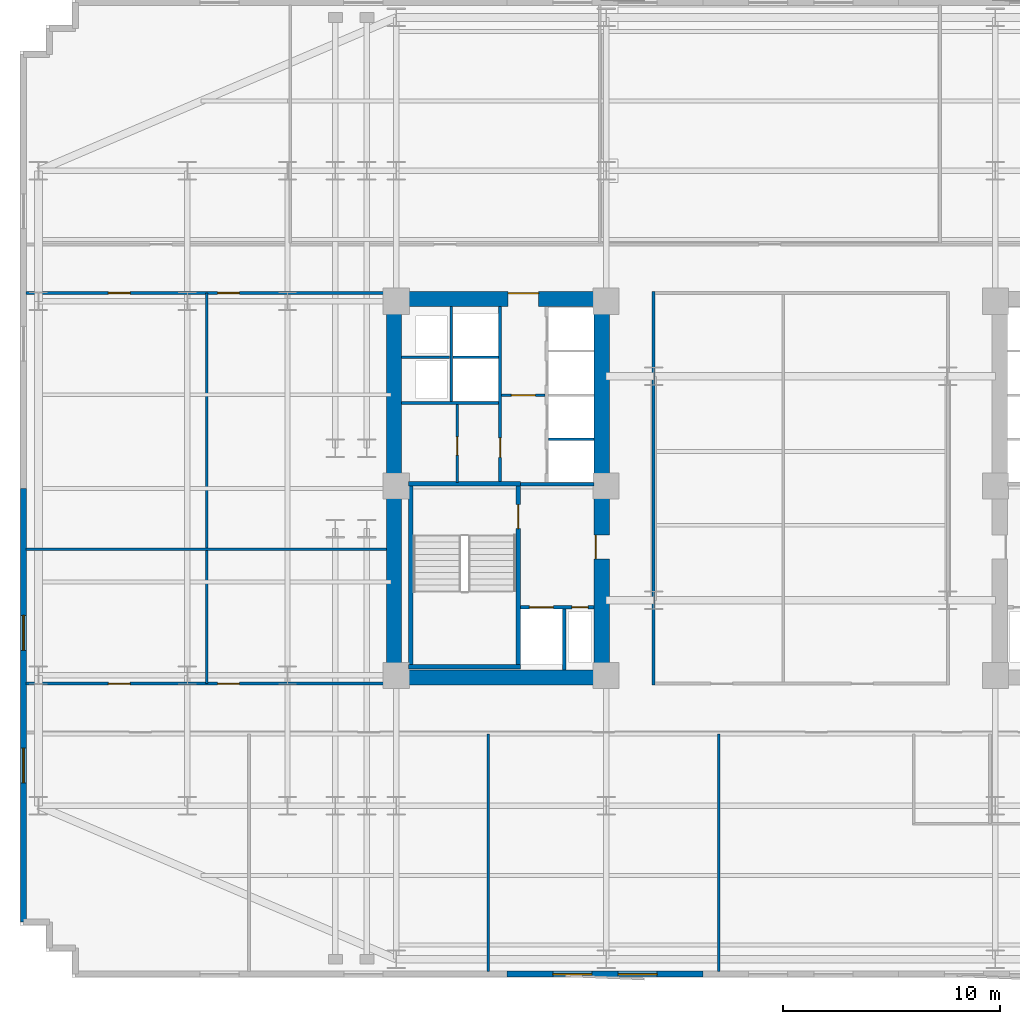
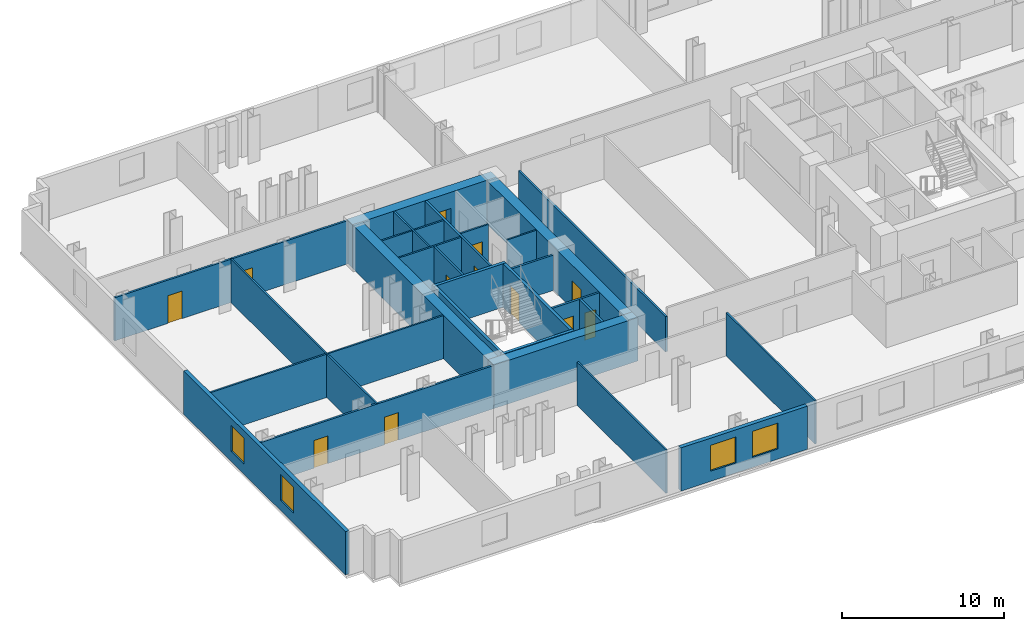
# One storey, part 4 of 10: 28 walls, 12 doors, 4 windows, 16 openings.
"""IFC4 building model written with IfcOpenShell, lengths in metres."""

from ifc_helpers import new_model, si_unit, direction, frame, frame_2d, origin, place, context, subcontext, project, spatial, rectangle, extrude, material, layer, layer_set, type_object, element, fill, save


model = new_model("IFC4")

# Units and contexts
model_context = context("Model", 3, precision=1e-05, world=origin(), true_north=direction((0.0, 1.0)))
body_context = subcontext(model_context, "Body", "Model", "MODEL_VIEW")
ifc_project = project(units=[si_unit("LENGTHUNIT", "METRE"), si_unit("AREAUNIT", "SQUARE_METRE"), si_unit("VOLUMEUNIT", "CUBIC_METRE"), si_unit("PLANEANGLEUNIT", "RADIAN"), si_unit("MASSUNIT", "GRAM", prefix="KILO")], contexts=[model_context])

# Site, building, storey
site_placement = place(None, origin())
site = spatial("IfcSite", under=ifc_project, at=site_placement, CompositionType="ELEMENT")
building_placement = place(site_placement, origin())
building = spatial("IfcBuilding", under=site, at=building_placement, Name="Velakula Bourse", CompositionType="ELEMENT")
storey_placement = place(building_placement, frame((0.0, 0.0, 41.550048828125)))
storey = spatial("IfcBuildingStorey", under=building, at=storey_placement, Name="L10", CompositionType="ELEMENT", Elevation=41.550048828125)

# Wall, opening, door
ifc_material_1 = material(Name="Concrete M50 (fck 50 MPa)", Category="concrete")
ifc_layer_1 = layer(ifc_material_1, 0.2099609375, Name="Concrete M50 (fck 50 MPa)", Category="concrete")
ifc_layer_set_1 = layer_set([ifc_layer_1], Name="Concrete M50 (fck 50 MPa)")
wall_type_1 = type_object("IfcWallType", Name="WL-CORE-210", PredefinedType="SHEAR", material=ifc_layer_set_1)
wall_1_placement = place(storey_placement, frame((-12.9951171875, -8.10009765625, 0.0), z_axis=(0.0, 0.0, 1.0), x_axis=(0.0, 1.0, 0.0)))
wall_1 = element("IfcWall", 1, at=wall_1_placement, inside=storey, type_object=wall_type_1, Name="L10 Core W Stairwell Shear Wall IN", PredefinedType="SHEAR", context=body_context, shape_type="SweptSolid", body=[
    extrude(rectangle(XDim=8.2001953125, YDim=0.2099609375, at=frame_2d((4.10009765625, 0.0))), origin(), (0.0, 0.0, 1.0), 3.27001953125),
])
opening_1_placement = place(wall_1_placement, frame((6.25, 0.0, 0.0)))
opening_1 = element("IfcOpeningElement", 2, at=opening_1_placement, cuts=wall_1, Name="Opening D-STW1", PredefinedType="OPENING", context=body_context, shape_type="SweptSolid", body=[
    extrude(rectangle(XDim=1.10009765625, YDim=2.14990234375, at=frame_2d((0.550048828125, 1.074951171875))), frame((0.0, 0.114990234375, 0.0), z_axis=(0.0, -1.0, 0.0), x_axis=(1.0, 0.0, 0.0)), (0.0, 0.0, 1.0), 0.22998046875),
])
ifc_material_2 = material(Name="Galvanised painted hollow steel fire door", Category="steel")
door_type_1 = type_object("IfcDoorType", Name="DR-FD120-1100x2150", OperationType="NOTDEFINED", PredefinedType="DOOR", material=ifc_material_2)
door_1_placement = place(opening_1_placement, origin())
door_1 = element("IfcDoor", 3, at=door_1_placement, inside=storey, type_object=door_type_1, Name="L10 Stair ST-W1 Fire Door", OperationType="SINGLE_SWING_LEFT", OverallHeight=2.14990234375, OverallWidth=1.10009765625, PredefinedType="DOOR", context=body_context, shape_type="SweptSolid", body=[
    extrude(rectangle(XDim=1.10009765625, YDim=2.14990234375, at=frame_2d((0.550048828125, 1.074951171875))), frame((0.0, 0.02490234375, 0.0), z_axis=(0.0, -1.0, 0.0), x_axis=(1.0, 0.0, 0.0)), (0.0, 0.0, 1.0), 0.050048828125),
])
fill(opening_1, door_1)

# Walls
wall_2_placement = place(storey_placement, frame((-17.925048828125, -8.10009765625, 0.0), z_axis=(0.0, 0.0, 1.0), x_axis=(0.0, 1.0, 0.0)))
element("IfcWall", 4, at=wall_2_placement, inside=storey, type_object=wall_type_1, Name="L10 Core W Stairwell Shear Wall OUT", PredefinedType="SHEAR", context=body_context, shape_type="SweptSolid", body=[
    extrude(rectangle(XDim=8.2001953125, YDim=0.2099609375, at=frame_2d((4.10009765625, 0.0))), origin(), (0.0, 0.0, 1.0), 3.27001953125),
])
for number, where, z_axis, x_axis, name in (
    (5, (-18.030029296875, -8.205078125, 0.0), (0.0, 0.0, 1.0), (1.0, 0.0, 0.0), "L10 Core W Stairwell Shear Wall S"),
    (6, (-12.889892578125, 0.205078125, 0.0), (0.0, 0.0, 1.0), (-1.0, 0.0, 0.0), "L10 Core W Stairwell Shear Wall N"),
):
    element("IfcWall", number, at=place(storey_placement, frame(where, z_axis=z_axis, x_axis=x_axis)), inside=storey, type_object=wall_type_1, Name=name, PredefinedType="SHEAR", context=body_context, shape_type="SweptSolid", body=[
        extrude(rectangle(XDim=5.14013671875, YDim=0.2099609375, at=frame_2d((2.570068359375, 0.0))), origin(), (0.0, 0.0, 1.0), 3.27001953125),
    ])
ifc_material_3 = material(Name="Concrete M70 (fck 70 MPa)", Category="concrete")
ifc_layer_2 = layer(ifc_material_3, 0.699951171875, Name="Concrete M70 (fck 70 MPa)", Category="concrete")
ifc_layer_set_2 = layer_set([ifc_layer_2], Name="Concrete M70 (fck 70 MPa)")
wall_type_2 = type_object("IfcWallType", Name="WL-CORE-700", PredefinedType="SHEAR", material=ifc_layer_set_2)
wall_3_placement = place(storey_placement, frame((-19.050048828125, -8.699951171875, 0.0), z_axis=(0.0, 0.0, 1.0), x_axis=(1.0, 0.0, 0.0)))
element("IfcWall", 7, at=wall_3_placement, inside=storey, type_object=wall_type_2, Name="L10 Core W Shear Wall S", PredefinedType="SHEAR", context=body_context, shape_type="SweptSolid", body=[
    extrude(rectangle(XDim=10.25, YDim=0.699951171875, at=frame_2d((5.125, 0.0))), origin(), (0.0, 0.0, 1.0), 3.27001953125),
])

# Wall, opening, door
wall_4_placement = place(storey_placement, frame((-19.050048828125, 8.699951171875, 0.0), z_axis=(0.0, 0.0, 1.0), x_axis=(1.0, 0.0, 0.0)))
wall_4 = element("IfcWall", 8, at=wall_4_placement, inside=storey, type_object=wall_type_2, Name="L10 Core W Shear Wall N", PredefinedType="SHEAR", context=body_context, shape_type="SweptSolid", body=[
    extrude(rectangle(XDim=10.25, YDim=0.699951171875, at=frame_2d((5.125, 0.0))), origin(), (0.0, 0.0, 1.0), 3.27001953125),
])
opening_2_placement = place(wall_4_placement, frame((5.60009765625, 0.0, 0.0)))
opening_2 = element("IfcOpeningElement", 9, at=opening_2_placement, cuts=wall_4, Name="Opening D-LLW", PredefinedType="OPENING", context=body_context, shape_type="SweptSolid", body=[
    extrude(rectangle(XDim=1.39990234375, YDim=2.050048828125, at=frame_2d((0.699951171875, 1.02490234375))), frame((0.0, 0.35986328125, 0.0), z_axis=(0.0, -1.0, 0.0), x_axis=(1.0, 0.0, 0.0)), (0.0, 0.0, 1.0), 0.719970703125),
])
ifc_material_4 = material(Name="Fire-rated hardwood flush architectural door", Category="wood")
door_type_2 = type_object("IfcDoorType", Name="DR-DBL-FD60-1400", OperationType="DOUBLE_DOOR_SINGLE_SWING", PredefinedType="DOOR", material=ifc_material_4)
door_2_placement = place(opening_2_placement, origin())
door_2 = element("IfcDoor", 10, at=door_2_placement, inside=storey, type_object=door_type_2, Name="L10 Core W Lift Lobby Corridor Double Door", OperationType="DOUBLE_DOOR_SINGLE_SWING", OverallHeight=2.050048828125, OverallWidth=1.39990234375, PredefinedType="DOOR", context=body_context, shape_type="SweptSolid", body=[
    extrude(rectangle(XDim=1.39990234375, YDim=2.050048828125, at=frame_2d((0.699951171875, 1.02490234375))), frame((0.0, 0.294921875, 0.0), z_axis=(0.0, -1.0, 0.0), x_axis=(1.0, 0.0, 0.0)), (0.0, 0.0, 1.0), 0.050048828125),
])
fill(opening_2, door_2)

# Wall
wall_5_placement = place(storey_placement, frame((-18.699951171875, -8.35009765625, 0.0), z_axis=(0.0, 0.0, 1.0), x_axis=(0.0, 1.0, 0.0)))
element("IfcWall", 11, at=wall_5_placement, inside=storey, type_object=wall_type_2, Name="L10 Core W Shear Wall W", PredefinedType="SHEAR", context=body_context, shape_type="SweptSolid", body=[
    extrude(rectangle(XDim=16.7001953125, YDim=0.699951171875, at=frame_2d((8.35009765625, 0.0))), origin(), (0.0, 0.0, 1.0), 3.27001953125),
])

# Wall, opening, door
wall_6_placement = place(storey_placement, frame((-9.14990234375, -8.35009765625, 0.0), z_axis=(0.0, 0.0, 1.0), x_axis=(0.0, 1.0, 0.0)))
wall_6 = element("IfcWall", 12, at=wall_6_placement, inside=storey, type_object=wall_type_2, Name="L10 Core W Shear Wall E", PredefinedType="SHEAR", context=body_context, shape_type="SweptSolid", body=[
    extrude(rectangle(XDim=16.7001953125, YDim=0.699951171875, at=frame_2d((8.35009765625, 0.0))), origin(), (0.0, 0.0, 1.0), 3.27001953125),
])
opening_3_placement = place(wall_6_placement, frame((5.10009765625, 0.0, 0.0)))
opening_3 = element("IfcOpeningElement", 13, at=opening_3_placement, cuts=wall_6, Name="Opening D-FLW", PredefinedType="OPENING", context=body_context, shape_type="SweptSolid", body=[
    extrude(rectangle(XDim=1.10009765625, YDim=2.080078125, at=frame_2d((0.550048828125, 1.0400390625))), frame((0.0, 0.35986328125, 0.0), z_axis=(0.0, -1.0, 0.0), x_axis=(1.0, 0.0, 0.0)), (0.0, 0.0, 1.0), 0.719970703125),
])
door_type_3 = type_object("IfcDoorType", Name="DR-FD120-1100", OperationType="NOTDEFINED", PredefinedType="DOOR", material=ifc_material_2)
door_3_placement = place(opening_3_placement, origin())
door_3 = element("IfcDoor", 14, at=door_3_placement, inside=storey, type_object=door_type_3, Name="L10 Firefighting Lobby W Corridor Fire Door", OperationType="SINGLE_SWING_LEFT", OverallHeight=2.080078125, OverallWidth=1.10009765625, PredefinedType="DOOR", context=body_context, shape_type="SweptSolid", body=[
    extrude(rectangle(XDim=1.10009765625, YDim=2.080078125, at=frame_2d((0.550048828125, 1.0400390625))), frame((0.0, 0.30517578125, 0.0), z_axis=(0.0, -1.0, 0.0), x_axis=(1.0, 0.0, 0.0)), (0.0, 0.0, 1.0), 0.050048828125),
])
fill(opening_3, door_3)

# Wall, openings, windows
ifc_material_5 = material(Name="Red kilned clay facing brick masonry", Category="masonry")
ifc_layer_3 = layer(ifc_material_5, 0.280029296875, Name="Red kilned clay facing brick masonry", Category="masonry")
ifc_layer_set_3 = layer_set([ifc_layer_3], Name="Red kilned clay facing brick masonry")
wall_type_3 = type_object("IfcWallType", Name="WL-EXT-BRK-280", PredefinedType="STANDARD", material=ifc_layer_set_3)
wall_7_placement = place(storey_placement, frame((-4.5, -22.340087890625, 0.0), z_axis=(0.0, 0.0, 1.0), x_axis=(-1.0, 0.0, 0.0)))
wall_7 = element("IfcWall", 15, at=wall_7_placement, inside=storey, type_object=wall_type_3, Name="L10 S Brick Spandrel Wall B2", PredefinedType="STANDARD", context=body_context, shape_type="SweptSolid", body=[
    extrude(rectangle(XDim=9.0, YDim=0.280029296875, at=frame_2d((4.5, 0.0))), origin(), (0.0, 0.0, 1.0), 3.25),
])
opening_4_placement = place(wall_7_placement, frame((2.10009765625, 0.0, 0.760009765625)))
opening_4 = element("IfcOpeningElement", 16, at=opening_4_placement, cuts=wall_7, Name="Opening W-01", PredefinedType="OPENING", context=body_context, shape_type="SweptSolid", body=[
    extrude(rectangle(XDim=1.800048828125, YDim=1.949951171875, at=frame_2d((0.89990234375, 0.97509765625))), frame((0.0, 0.14990234375, 0.0), z_axis=(0.0, -1.0, 0.0), x_axis=(1.0, 0.0, 0.0)), (0.0, 0.0, 1.0), 0.300048828125),
])
opening_5_placement = place(wall_7_placement, frame((5.10009765625, 0.0, 0.760009765625)))
opening_5 = element("IfcOpeningElement", 17, at=opening_5_placement, cuts=wall_7, Name="Opening W-01", PredefinedType="OPENING", context=body_context, shape_type="SweptSolid", body=[
    extrude(rectangle(XDim=1.800048828125, YDim=1.949951171875, at=frame_2d((0.89990234375, 0.97509765625))), frame((0.0, 0.14990234375, 0.0), z_axis=(0.0, -1.0, 0.0), x_axis=(1.0, 0.0, 0.0)), (0.0, 0.0, 1.0), 0.300048828125),
])
ifc_material_6 = material(Name="Double-glazed solar-control Low-E glass", Category="glass")
window_type_1 = type_object("IfcWindowType", Name="WIN-TWR-1800x2100", PartitioningType="SINGLE_PANEL", PredefinedType="WINDOW", material=ifc_material_6)
window_1_placement = place(opening_4_placement, origin())
window_1 = element("IfcWindow", 18, at=window_1_placement, inside=storey, type_object=window_type_1, Name="L10 Deep-Set Recessed Window 1", OverallHeight=1.949951171875, OverallWidth=1.800048828125, PartitioningType="SINGLE_PANEL", PredefinedType="WINDOW", context=body_context, shape_type="SweptSolid", body=[
    extrude(rectangle(XDim=1.800048828125, YDim=1.949951171875, at=frame_2d((0.89990234375, 0.97509765625))), frame((0.0, 0.030029296875, 0.0), z_axis=(0.0, -1.0, 0.0), x_axis=(1.0, 0.0, 0.0)), (0.0, 0.0, 1.0), 0.06005859375),
])
fill(opening_4, window_1)
window_2_placement = place(opening_5_placement, origin())
window_2 = element("IfcWindow", 19, at=window_2_placement, inside=storey, type_object=window_type_1, Name="L10 Deep-Set Recessed Window 2", OverallHeight=1.949951171875, OverallWidth=1.800048828125, PartitioningType="SINGLE_PANEL", PredefinedType="WINDOW", context=body_context, shape_type="SweptSolid", body=[
    extrude(rectangle(XDim=1.800048828125, YDim=1.949951171875, at=frame_2d((0.89990234375, 0.97509765625))), frame((0.0, 0.030029296875, 0.0), z_axis=(0.0, -1.0, 0.0), x_axis=(1.0, 0.0, 0.0)), (0.0, 0.0, 1.0), 0.06005859375),
])
fill(opening_5, window_2)

wall_8_placement = place(storey_placement, frame((-35.739990234375, -19.93994140625, 0.0), z_axis=(0.0, 0.0, 1.0), x_axis=(0.0, 1.0, 0.0)))
wall_8 = element("IfcWall", 20, at=wall_8_placement, inside=storey, type_object=wall_type_3, Name="L10 W Brick End Wall W1", PredefinedType="STANDARD", context=body_context, shape_type="SweptSolid", body=[
    extrude(rectangle(XDim=19.93994140625, YDim=0.280029296875, at=frame_2d((9.969970703125, 0.0))), origin(), (0.0, 0.0, 1.0), 3.25),
])
opening_6_placement = place(wall_8_placement, frame((6.396728515625, 0.0, 0.760009765625)))
opening_6 = element("IfcOpeningElement", 21, at=opening_6_placement, cuts=wall_8, Name="Opening W-02", PredefinedType="OPENING", context=body_context, shape_type="SweptSolid", body=[
    extrude(rectangle(XDim=1.60009765625, YDim=1.949951171875, at=frame_2d((0.800048828125, 0.97509765625))), frame((0.0, 0.14990234375, 0.0), z_axis=(0.0, -1.0, 0.0), x_axis=(1.0, 0.0, 0.0)), (0.0, 0.0, 1.0), 0.300048828125),
])
opening_7_placement = place(wall_8_placement, frame((12.493408203125, 0.0, 0.760009765625)))
opening_7 = element("IfcOpeningElement", 22, at=opening_7_placement, cuts=wall_8, Name="Opening W-02", PredefinedType="OPENING", context=body_context, shape_type="SweptSolid", body=[
    extrude(rectangle(XDim=1.60009765625, YDim=1.949951171875, at=frame_2d((0.800048828125, 0.97509765625))), frame((0.0, 0.14990234375, 0.0), z_axis=(0.0, -1.0, 0.0), x_axis=(1.0, 0.0, 0.0)), (0.0, 0.0, 1.0), 0.300048828125),
])
window_type_2 = type_object("IfcWindowType", Name="WIN-TWR-1600x2100", PartitioningType="SINGLE_PANEL", PredefinedType="WINDOW", material=ifc_material_6)
window_3_placement = place(opening_6_placement, origin())
window_3 = element("IfcWindow", 23, at=window_3_placement, inside=storey, type_object=window_type_2, Name="L10 Deep-Set Recessed Window 1", OverallHeight=1.949951171875, OverallWidth=1.60009765625, PartitioningType="SINGLE_PANEL", PredefinedType="WINDOW", context=body_context, shape_type="SweptSolid", body=[
    extrude(rectangle(XDim=1.60009765625, YDim=1.949951171875, at=frame_2d((0.800048828125, 0.97509765625))), frame((0.0, 0.030029296875, 0.0), z_axis=(0.0, -1.0, 0.0), x_axis=(1.0, 0.0, 0.0)), (0.0, 0.0, 1.0), 0.06005859375),
])
fill(opening_6, window_3)
window_4_placement = place(opening_7_placement, origin())
window_4 = element("IfcWindow", 24, at=window_4_placement, inside=storey, type_object=window_type_2, Name="L10 Deep-Set Recessed Window 2", OverallHeight=1.949951171875, OverallWidth=1.60009765625, PartitioningType="SINGLE_PANEL", PredefinedType="WINDOW", context=body_context, shape_type="SweptSolid", body=[
    extrude(rectangle(XDim=1.60009765625, YDim=1.949951171875, at=frame_2d((0.800048828125, 0.97509765625))), frame((0.0, 0.030029296875, 0.0), z_axis=(0.0, -1.0, 0.0), x_axis=(1.0, 0.0, 0.0)), (0.0, 0.0, 1.0), 0.06005859375),
])
fill(opening_7, window_4)

# Wall, opening, door
ifc_material_7 = material(Name="Fire-rated double-layer gypsum drywall partition", Category="gypsum")
ifc_layer_4 = layer(ifc_material_7, 0.1201171875, Name="Fire-rated double-layer gypsum drywall partition", Category="gypsum")
ifc_layer_set_4 = layer_set([ifc_layer_4], Name="Fire-rated double-layer gypsum drywall partition")
wall_type_4 = type_object("IfcWallType", Name="WL-PART-120", PredefinedType="STANDARD", material=ifc_layer_set_4)
wall_9_placement = place(storey_placement, frame((-13.75, 4.280029296875, 0.0), z_axis=(0.0, 0.0, 1.0), x_axis=(1.0, 0.0, 0.0)))
wall_9 = element("IfcWall", 25, at=wall_9_placement, inside=storey, type_object=wall_type_4, Name="L10 Interior Partition WL-CRW-L10-LL-K2", PredefinedType="STANDARD", context=body_context, shape_type="SweptSolid", body=[
    extrude(rectangle(XDim=2.0, YDim=0.1201171875, at=frame_2d((1.0, 0.0))), origin(), (0.0, 0.0, 1.0), 3.25),
])
opening_8_placement = place(wall_9_placement, frame((0.449951171875, 0.0, 0.0)))
opening_8 = element("IfcOpeningElement", 26, at=opening_8_placement, cuts=wall_9, Name="Opening D-LK2", PredefinedType="OPENING", context=body_context, shape_type="SweptSolid", body=[
    extrude(rectangle(XDim=1.10009765625, YDim=2.10009765625, at=frame_2d((0.550048828125, 1.050048828125))), frame((0.0, 0.070068359375, 0.0), z_axis=(0.0, -1.0, 0.0), x_axis=(1.0, 0.0, 0.0)), (0.0, 0.0, 1.0), 0.14013671875),
])
door_type_4 = type_object("IfcDoorType", Name="DR-FD60-1100x2100", OperationType="NOTDEFINED", PredefinedType="DOOR", material=ifc_material_4)
door_4_placement = place(opening_8_placement, origin())
door_4 = element("IfcDoor", 27, at=door_4_placement, inside=storey, type_object=door_type_4, Name="L10 Core W Lift Lobby Zone Door", OperationType="SINGLE_SWING_RIGHT", OverallHeight=2.10009765625, OverallWidth=1.10009765625, PredefinedType="DOOR", context=body_context, shape_type="SweptSolid", body=[
    extrude(rectangle(XDim=1.10009765625, YDim=2.10009765625, at=frame_2d((0.550048828125, 1.050048828125))), frame((0.0, 0.02490234375, 0.0), z_axis=(0.0, -1.0, 0.0), x_axis=(1.0, 0.0, 0.0)), (0.0, 0.0, 1.0), 0.050048828125),
])
fill(opening_8, door_4)

# Walls
wall_10_placement = place(storey_placement, frame((-11.60009765625, 2.2548828125, 0.0), z_axis=(0.0, 0.0, 1.0), x_axis=(1.0, 0.0, 0.0)))
element("IfcWall", 28, at=wall_10_placement, inside=storey, type_object=wall_type_4, Name="L10 Interior Partition WL-CRW-L10-BDIV-0", PredefinedType="STANDARD", context=body_context, shape_type="SweptSolid", body=[
    extrude(rectangle(XDim=2.10009765625, YDim=0.110107421875, at=frame_2d((1.050048828125, 0.0))), origin(), (0.0, 0.0, 1.0), 3.25),
])
wall_11_placement = place(storey_placement, frame((-18.35009765625, 3.919921875, 0.0), z_axis=(0.0, 0.0, 1.0), x_axis=(1.0, 0.0, 0.0)))
element("IfcWall", 29, at=wall_11_placement, inside=storey, type_object=wall_type_4, Name="L10 Interior Partition WL-CRW-L10-HI-S", PredefinedType="STANDARD", context=body_context, shape_type="SweptSolid", body=[
    extrude(rectangle(XDim=4.4501953125, YDim=0.1201171875, at=frame_2d((2.22509765625, 0.0))), origin(), (0.0, 0.0, 1.0), 3.25),
])
wall_12_placement = place(storey_placement, frame((-18.35009765625, 6.030029296875, 0.0), z_axis=(0.0, 0.0, 1.0), x_axis=(1.0, 0.0, 0.0)))
element("IfcWall", 30, at=wall_12_placement, inside=storey, type_object=wall_type_4, Name="L10 Interior Partition WL-CRW-L10-RIS-MID", PredefinedType="STANDARD", context=body_context, shape_type="SweptSolid", body=[
    extrude(rectangle(XDim=2.2001953125, YDim=0.1201171875, at=frame_2d((1.10009765625, 0.0))), origin(), (0.0, 0.0, 1.0), 3.25),
])
wall_13_placement = place(storey_placement, frame((-16.074951171875, 3.97998046875, 0.0), z_axis=(0.0, 0.0, 1.0), x_axis=(0.0, 1.0, 0.0)))
element("IfcWall", 31, at=wall_13_placement, inside=storey, type_object=wall_type_4, Name="L10 Interior Partition WL-CRW-L10-RIS-F", PredefinedType="STANDARD", context=body_context, shape_type="SweptSolid", body=[
    extrude(rectangle(XDim=4.3701171875, YDim=0.1201171875, at=frame_2d((2.18505859375, 0.0))), origin(), (0.0, 0.0, 1.0), 3.25),
])
wall_14_placement = place(storey_placement, frame((-16.0, 6.030029296875, 0.0), z_axis=(0.0, 0.0, 1.0), x_axis=(1.0, 0.0, 0.0)))
element("IfcWall", 32, at=wall_14_placement, inside=storey, type_object=wall_type_4, Name="L10 Interior Partition WL-CRW-L10-HI-DIV", PredefinedType="STANDARD", context=body_context, shape_type="SweptSolid", body=[
    extrude(rectangle(XDim=2.10009765625, YDim=0.1201171875, at=frame_2d((1.050048828125, 0.0))), origin(), (0.0, 0.0, 1.0), 3.25),
])

# Wall, opening, door
wall_15_placement = place(storey_placement, frame((-15.800048828125, 0.27001953125, 0.0), z_axis=(0.0, 0.0, 1.0), x_axis=(0.0, 1.0, 0.0)))
wall_15 = element("IfcWall", 33, at=wall_15_placement, inside=storey, type_object=wall_type_4, Name="L10 Interior Partition WL-CRW-L10-K2", PredefinedType="STANDARD", context=body_context, shape_type="SweptSolid", body=[
    extrude(rectangle(XDim=3.590087890625, YDim=0.1201171875, at=frame_2d((1.794921875, 0.0))), origin(), (0.0, 0.0, 1.0), 3.25),
])
opening_9_placement = place(wall_15_placement, frame((1.25, 0.0, 0.0)))
opening_9 = element("IfcOpeningElement", 34, at=opening_9_placement, cuts=wall_15, Name="Opening D-CE1", PredefinedType="OPENING", context=body_context, shape_type="SweptSolid", body=[
    extrude(rectangle(XDim=0.85009765625, YDim=2.050048828125, at=frame_2d((0.425048828125, 1.02490234375))), frame((0.0, 0.070068359375, 0.0), z_axis=(0.0, -1.0, 0.0), x_axis=(1.0, 0.0, 0.0)), (0.0, 0.0, 1.0), 0.14013671875),
])
door_type_5 = type_object("IfcDoorType", Name="DR-INT-850", OperationType="NOTDEFINED", PredefinedType="DOOR", material=ifc_material_4)
door_5_placement = place(opening_9_placement, origin())
door_5 = element("IfcDoor", 35, at=door_5_placement, inside=storey, type_object=door_type_5, Name="L10 Core Equipment Store Door", OperationType="SINGLE_SWING_RIGHT", OverallHeight=2.050048828125, OverallWidth=0.85009765625, PredefinedType="DOOR", context=body_context, shape_type="SweptSolid", body=[
    extrude(rectangle(XDim=0.85009765625, YDim=2.050048828125, at=frame_2d((0.425048828125, 1.02490234375))), frame((0.0, 0.02490234375, 0.0), z_axis=(0.0, -1.0, 0.0), x_axis=(1.0, 0.0, 0.0)), (0.0, 0.0, 1.0), 0.050048828125),
])
fill(opening_9, door_5)

# Walls
for number, where, z_axis, x_axis, name in (
    (36, (-14.364990234375, -22.219970703125, 0.0), (0.0, 0.0, 1.0), (0.0, 1.0, 0.0), "L10 Interior Partition WL-INT-L10-SL-D6"),
    (37, (-3.76708984375, -22.219970703125, 0.0), (0.0, 0.0, 1.0), (0.0, 1.0, 0.0), "L10 Interior Partition WL-INT-L10-SL-D7"),
):
    element("IfcWall", number, at=place(storey_placement, frame(where, z_axis=z_axis, x_axis=x_axis)), inside=storey, type_object=wall_type_4, Name=name, PredefinedType="STANDARD", context=body_context, shape_type="SweptSolid", body=[
        extrude(rectangle(XDim=10.929931640625, YDim=0.1201171875, at=frame_2d((5.46484375, 0.0))), origin(), (0.0, 0.0, 1.0), 3.25),
    ])
wall_16_placement = place(storey_placement, frame((-35.6201171875, -2.800048828125, 0.0), z_axis=(0.0, 0.0, 1.0), x_axis=(1.0, 0.0, 0.0)))
element("IfcWall", 38, at=wall_16_placement, inside=storey, type_object=wall_type_4, Name="L10 Interior Partition WL-INT-L10-W-H", PredefinedType="STANDARD", context=body_context, shape_type="SweptSolid", body=[
    extrude(rectangle(XDim=16.570068359375, YDim=0.1201171875, at=frame_2d((8.28515625, 0.0))), origin(), (0.0, 0.0, 1.0), 3.25),
])
wall_17_placement = place(storey_placement, frame((-27.304931640625, -8.97998046875, 0.0), z_axis=(0.0, 0.0, 1.0), x_axis=(0.0, 1.0, 0.0)))
element("IfcWall", 39, at=wall_17_placement, inside=storey, type_object=wall_type_4, Name="L10 Interior Partition WL-INT-L10-W-V1", PredefinedType="STANDARD", context=body_context, shape_type="SweptSolid", body=[
    extrude(rectangle(XDim=17.9599609375, YDim=0.1201171875, at=frame_2d((8.97998046875, 0.0))), origin(), (0.0, 0.0, 1.0), 3.25),
])

# Wall, openings, doors
ifc_layer_5 = layer(ifc_material_7, 0.139892578125, Name="Fire-rated double-layer gypsum drywall partition", Category="gypsum")
ifc_layer_set_5 = layer_set([ifc_layer_5], Name="Fire-rated double-layer gypsum drywall partition")
wall_type_5 = type_object("IfcWallType", Name="WL-PART-140", PredefinedType="STANDARD", material=ifc_layer_set_5)
wall_18_placement = place(storey_placement, frame((-35.6201171875, 8.97998046875, 0.0), z_axis=(0.0, 0.0, 1.0), x_axis=(1.0, 0.0, 0.0)))
wall_18 = element("IfcWall", 40, at=wall_18_placement, inside=storey, type_object=wall_type_5, Name="L10 Interior Partition WL-INT-L10-W-NC", PredefinedType="STANDARD", context=body_context, shape_type="SweptSolid", body=[
    extrude(rectangle(XDim=16.570068359375, YDim=0.139892578125, at=frame_2d((8.28515625, 0.0))), origin(), (0.0, 0.0, 1.0), 3.25),
])
opening_10_placement = place(wall_18_placement, frame((3.78759765625, 0.0, 0.0)))
opening_10 = element("IfcOpeningElement", 41, at=opening_10_placement, cuts=wall_18, Name="Opening D-OF1", PredefinedType="OPENING", context=body_context, shape_type="SweptSolid", body=[
    extrude(rectangle(XDim=1.0, YDim=2.080078125, at=frame_2d((0.5, 1.0400390625))), frame((0.0, 0.079833984375, 0.0), z_axis=(0.0, -1.0, 0.0), x_axis=(1.0, 0.0, 0.0)), (0.0, 0.0, 1.0), 0.159912109375),
])
opening_11_placement = place(wall_18_placement, frame((8.8046875, 0.0, 0.0)))
opening_11 = element("IfcOpeningElement", 42, at=opening_11_placement, cuts=wall_18, Name="Opening D-OF1", PredefinedType="OPENING", context=body_context, shape_type="SweptSolid", body=[
    extrude(rectangle(XDim=1.0, YDim=2.080078125, at=frame_2d((0.5, 1.0400390625))), frame((0.0, 0.079833984375, 0.0), z_axis=(0.0, -1.0, 0.0), x_axis=(1.0, 0.0, 0.0)), (0.0, 0.0, 1.0), 0.159912109375),
])
door_type_6 = type_object("IfcDoorType", Name="DR-OFF-1000", OperationType="NOTDEFINED", PredefinedType="DOOR", material=ifc_material_4)
door_6_placement = place(opening_10_placement, origin())
door_6 = element("IfcDoor", 43, at=door_6_placement, inside=storey, type_object=door_type_6, Name="L10 Issuer Relations Office Door", OperationType="SINGLE_SWING_LEFT", OverallHeight=2.080078125, OverallWidth=1.0, PredefinedType="DOOR", context=body_context, shape_type="SweptSolid", body=[
    extrude(rectangle(XDim=1.0, YDim=2.080078125, at=frame_2d((0.5, 1.0400390625))), frame((0.0, 0.02490234375, 0.0), z_axis=(0.0, -1.0, 0.0), x_axis=(1.0, 0.0, 0.0)), (0.0, 0.0, 1.0), 0.050048828125),
])
fill(opening_10, door_6)
door_7_placement = place(opening_11_placement, origin())
door_7 = element("IfcDoor", 44, at=door_7_placement, inside=storey, type_object=door_type_6, Name="L10 Training Classroom Door", OperationType="SINGLE_SWING_RIGHT", OverallHeight=2.080078125, OverallWidth=1.0, PredefinedType="DOOR", context=body_context, shape_type="SweptSolid", body=[
    extrude(rectangle(XDim=1.0, YDim=2.080078125, at=frame_2d((0.5, 1.0400390625))), frame((0.0, 0.02490234375, 0.0), z_axis=(0.0, -1.0, 0.0), x_axis=(1.0, 0.0, 0.0)), (0.0, 0.0, 1.0), 0.050048828125),
])
fill(opening_11, door_7)

wall_19_placement = place(storey_placement, frame((-35.6201171875, -8.97998046875, 0.0), z_axis=(0.0, 0.0, 1.0), x_axis=(1.0, 0.0, 0.0)))
wall_19 = element("IfcWall", 45, at=wall_19_placement, inside=storey, type_object=wall_type_5, Name="L10 Interior Partition WL-INT-L10-W-SC", PredefinedType="STANDARD", context=body_context, shape_type="SweptSolid", body=[
    extrude(rectangle(XDim=16.570068359375, YDim=0.139892578125, at=frame_2d((8.28515625, 0.0))), origin(), (0.0, 0.0, 1.0), 3.25),
])
opening_12_placement = place(wall_19_placement, frame((3.78759765625, 0.0, 0.0)))
opening_12 = element("IfcOpeningElement", 46, at=opening_12_placement, cuts=wall_19, Name="Opening D-OF1", PredefinedType="OPENING", context=body_context, shape_type="SweptSolid", body=[
    extrude(rectangle(XDim=1.0, YDim=2.080078125, at=frame_2d((0.5, 1.0400390625))), frame((0.0, 0.079833984375, 0.0), z_axis=(0.0, -1.0, 0.0), x_axis=(1.0, 0.0, 0.0)), (0.0, 0.0, 1.0), 0.159912109375),
])
opening_13_placement = place(wall_19_placement, frame((8.8046875, 0.0, 0.0)))
opening_13 = element("IfcOpeningElement", 47, at=opening_13_placement, cuts=wall_19, Name="Opening D-OF1", PredefinedType="OPENING", context=body_context, shape_type="SweptSolid", body=[
    extrude(rectangle(XDim=1.0, YDim=2.080078125, at=frame_2d((0.5, 1.0400390625))), frame((0.0, 0.079833984375, 0.0), z_axis=(0.0, -1.0, 0.0), x_axis=(1.0, 0.0, 0.0)), (0.0, 0.0, 1.0), 0.159912109375),
])
door_8_placement = place(opening_12_placement, origin())
door_8 = element("IfcDoor", 48, at=door_8_placement, inside=storey, type_object=door_type_6, Name="L10 Issuer Relations Office Door", OperationType="SINGLE_SWING_LEFT", OverallHeight=2.080078125, OverallWidth=1.0, PredefinedType="DOOR", context=body_context, shape_type="SweptSolid", body=[
    extrude(rectangle(XDim=1.0, YDim=2.080078125, at=frame_2d((0.5, 1.0400390625))), frame((0.0, 0.02490234375, 0.0), z_axis=(0.0, -1.0, 0.0), x_axis=(1.0, 0.0, 0.0)), (0.0, 0.0, 1.0), 0.050048828125),
])
fill(opening_12, door_8)
door_9_placement = place(opening_13_placement, origin())
door_9 = element("IfcDoor", 49, at=door_9_placement, inside=storey, type_object=door_type_6, Name="L10 Training Classroom Door", OperationType="SINGLE_SWING_RIGHT", OverallHeight=2.080078125, OverallWidth=1.0, PredefinedType="DOOR", context=body_context, shape_type="SweptSolid", body=[
    extrude(rectangle(XDim=1.0, YDim=2.080078125, at=frame_2d((0.5, 1.0400390625))), frame((0.0, 0.02490234375, 0.0), z_axis=(0.0, -1.0, 0.0), x_axis=(1.0, 0.0, 0.0)), (0.0, 0.0, 1.0), 0.050048828125),
])
fill(opening_13, door_9)

# Wall
wall_20_placement = place(storey_placement, frame((-6.780029296875, -9.050048828125, 0.0), z_axis=(0.0, 0.0, 1.0), x_axis=(0.0, 1.0, 0.0)))
element("IfcWall", 50, at=wall_20_placement, inside=storey, type_object=wall_type_5, Name="L10 Interior Partition WL-INT-L10-MID-W", PredefinedType="STANDARD", context=body_context, shape_type="SweptSolid", body=[
    extrude(rectangle(XDim=18.10009765625, YDim=0.139892578125, at=frame_2d((9.050048828125, 0.0))), origin(), (0.0, 0.0, 1.0), 2.64501953125),
])

# Wall, openings, doors
ifc_material_8 = material(Name="Autoclaved aerated concrete blockwork masonry", Category="masonry")
ifc_layer_6 = layer(ifc_material_8, 0.14990234375, Name="Autoclaved aerated concrete blockwork masonry", Category="masonry")
ifc_layer_set_6 = layer_set([ifc_layer_6], Name="Autoclaved aerated concrete blockwork masonry")
wall_type_6 = type_object("IfcWallType", Name="WL-SHAFT-150", PredefinedType="STANDARD", material=ifc_layer_set_6)
wall_21_placement = place(storey_placement, frame((-12.89501953125, -5.47509765625, 0.0), z_axis=(0.0, 0.0, 1.0), x_axis=(1.0, 0.0, 0.0)))
wall_21 = element("IfcWall", 51, at=wall_21_placement, inside=storey, type_object=wall_type_6, Name="L10 Interior Partition WL-CRW-L10-FFL-N", PredefinedType="STANDARD", context=body_context, shape_type="SweptSolid", body=[
    extrude(rectangle(XDim=3.39501953125, YDim=0.14990234375, at=frame_2d((1.697509765625, 0.0))), origin(), (0.0, 0.0, 1.0), 3.25),
])
opening_14_placement = place(wall_21_placement, frame((0.419921875, 0.0, 0.0)))
opening_14 = element("IfcOpeningElement", 52, at=opening_14_placement, cuts=wall_21, Name="Opening LD-FFL-1", PredefinedType="OPENING", context=body_context, shape_type="SweptSolid", body=[
    extrude(rectangle(XDim=1.10009765625, YDim=2.14990234375, at=frame_2d((0.550048828125, 1.074951171875))), frame((0.0, 0.0849609375, 0.0), z_axis=(0.0, -1.0, 0.0), x_axis=(1.0, 0.0, 0.0)), (0.0, 0.0, 1.0), 0.169921875),
])
opening_15_placement = place(wall_21_placement, frame((2.3701171875, 0.0, 0.0)))
opening_15 = element("IfcOpeningElement", 53, at=opening_15_placement, cuts=wall_21, Name="Opening D-RS1", PredefinedType="OPENING", context=body_context, shape_type="SweptSolid", body=[
    extrude(rectangle(XDim=0.75, YDim=2.050048828125, at=frame_2d((0.375, 1.02490234375))), frame((0.0, 0.0849609375, 0.0), z_axis=(0.0, -1.0, 0.0), x_axis=(1.0, 0.0, 0.0)), (0.0, 0.0, 1.0), 0.169921875),
])
door_type_7 = type_object("IfcDoorType", Name="DR-RISER-800", OperationType="NOTDEFINED", PredefinedType="DOOR", material=ifc_material_2)
door_10_placement = place(opening_15_placement, origin())
door_10 = element("IfcDoor", 54, at=door_10_placement, inside=storey, type_object=door_type_7, Name="L10 Fire Riser Access Door", OperationType="SINGLE_SWING_LEFT", OverallHeight=2.050048828125, OverallWidth=0.75, PredefinedType="DOOR", context=body_context, shape_type="SweptSolid", body=[
    extrude(rectangle(XDim=0.75, YDim=2.050048828125, at=frame_2d((0.375, 1.02490234375))), frame((0.0, 0.02490234375, 0.0), z_axis=(0.0, -1.0, 0.0), x_axis=(1.0, 0.0, 0.0)), (0.0, 0.0, 1.0), 0.050048828125),
])
fill(opening_15, door_10)
ifc_material_9 = material(Name="Brushed grade 316 stainless steel", Category="steel")
door_type_8 = type_object("IfcDoorType", Name="DR-SLIDE-FFL-1100", OperationType="DOUBLE_DOOR_SLIDING", PredefinedType="DOOR", material=ifc_material_9)
door_11_placement = place(opening_14_placement, origin())
door_11 = element("IfcDoor", 55, at=door_11_placement, inside=storey, type_object=door_type_8, Name="L10 Firefighting Lift FFL-1 Sliding Landing Door", OperationType="DOUBLE_DOOR_SLIDING", OverallHeight=2.14990234375, OverallWidth=1.10009765625, PredefinedType="DOOR", context=body_context, shape_type="SweptSolid", body=[
    extrude(rectangle(XDim=1.10009765625, YDim=2.14990234375, at=frame_2d((0.550048828125, 1.074951171875))), frame((0.0, 0.02490234375, 0.0), z_axis=(0.0, -1.0, 0.0), x_axis=(1.0, 0.0, 0.0)), (0.0, 0.0, 1.0), 0.050048828125),
])
fill(opening_14, door_11)

# Walls
wall_22_placement = place(storey_placement, frame((-10.875, -8.35009765625, 0.0), z_axis=(0.0, 0.0, 1.0), x_axis=(0.0, 1.0, 0.0)))
element("IfcWall", 56, at=wall_22_placement, inside=storey, type_object=wall_type_6, Name="L10 Interior Partition WL-CRW-L10-FR-DIV", PredefinedType="STANDARD", context=body_context, shape_type="SweptSolid", body=[
    extrude(rectangle(XDim=2.800048828125, YDim=0.14990234375, at=frame_2d((1.39990234375, 0.0))), origin(), (0.0, 0.0, 1.0), 3.25),
])
wall_23_placement = place(storey_placement, frame((-12.889892578125, 0.18994140625, 0.0), z_axis=(0.0, 0.0, 1.0), x_axis=(1.0, 0.0, 0.0)))
element("IfcWall", 57, at=wall_23_placement, inside=storey, type_object=wall_type_6, Name="L10 Interior Partition WL-CRW-L10-FF-TOP", PredefinedType="STANDARD", context=body_context, shape_type="SweptSolid", body=[
    extrude(rectangle(XDim=3.389892578125, YDim=0.14990234375, at=frame_2d((1.69482421875, 0.0))), origin(), (0.0, 0.0, 1.0), 2.64501953125),
])

# Wall, opening, door
wall_24_placement = place(storey_placement, frame((-13.824951171875, 0.27001953125, 0.0), z_axis=(0.0, 0.0, 1.0), x_axis=(0.0, 1.0, 0.0)))
wall_24 = element("IfcWall", 58, at=wall_24_placement, inside=storey, type_object=wall_type_6, Name="L10 Interior Partition WL-CRW-L10-OUT-F", PredefinedType="STANDARD", context=body_context, shape_type="SweptSolid", body=[
    extrude(rectangle(XDim=8.080078125, YDim=0.14990234375, at=frame_2d((4.0400390625, 0.0))), origin(), (0.0, 0.0, 1.0), 3.25),
])
opening_16_placement = place(wall_24_placement, frame((1.14990234375, 0.0, 0.0)))
opening_16 = element("IfcOpeningElement", 59, at=opening_16_placement, cuts=wall_24, Name="Opening D-CP1", PredefinedType="OPENING", context=body_context, shape_type="SweptSolid", body=[
    extrude(rectangle(XDim=0.89990234375, YDim=2.050048828125, at=frame_2d((0.449951171875, 1.02490234375))), frame((0.0, 0.0849609375, 0.0), z_axis=(0.0, -1.0, 0.0), x_axis=(1.0, 0.0, 0.0)), (0.0, 0.0, 1.0), 0.169921875),
])
door_type_9 = type_object("IfcDoorType", Name="DR-INT-900", OperationType="NOTDEFINED", PredefinedType="DOOR", material=ifc_material_4)
door_12_placement = place(opening_16_placement, origin())
door_12 = element("IfcDoor", 60, at=door_12_placement, inside=storey, type_object=door_type_9, Name="L10 Core Tea Pantry Door", OperationType="SINGLE_SWING_LEFT", OverallHeight=2.050048828125, OverallWidth=0.89990234375, PredefinedType="DOOR", context=body_context, shape_type="SweptSolid", body=[
    extrude(rectangle(XDim=0.89990234375, YDim=2.050048828125, at=frame_2d((0.449951171875, 1.02490234375))), frame((0.0, 0.02490234375, 0.0), z_axis=(0.0, -1.0, 0.0), x_axis=(1.0, 0.0, 0.0)), (0.0, 0.0, 1.0), 0.050048828125),
])
fill(opening_16, door_12)

save(model, "model.ifc")
